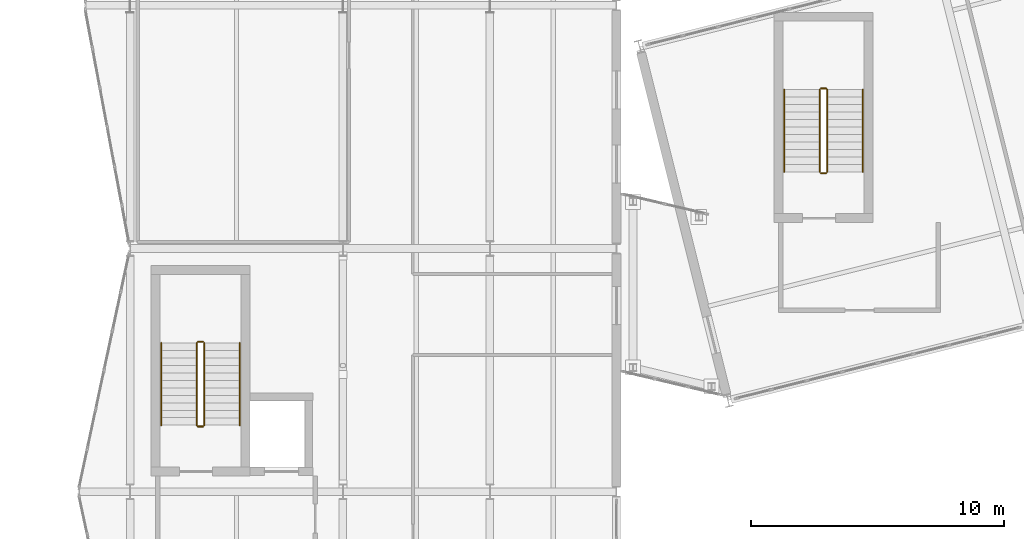
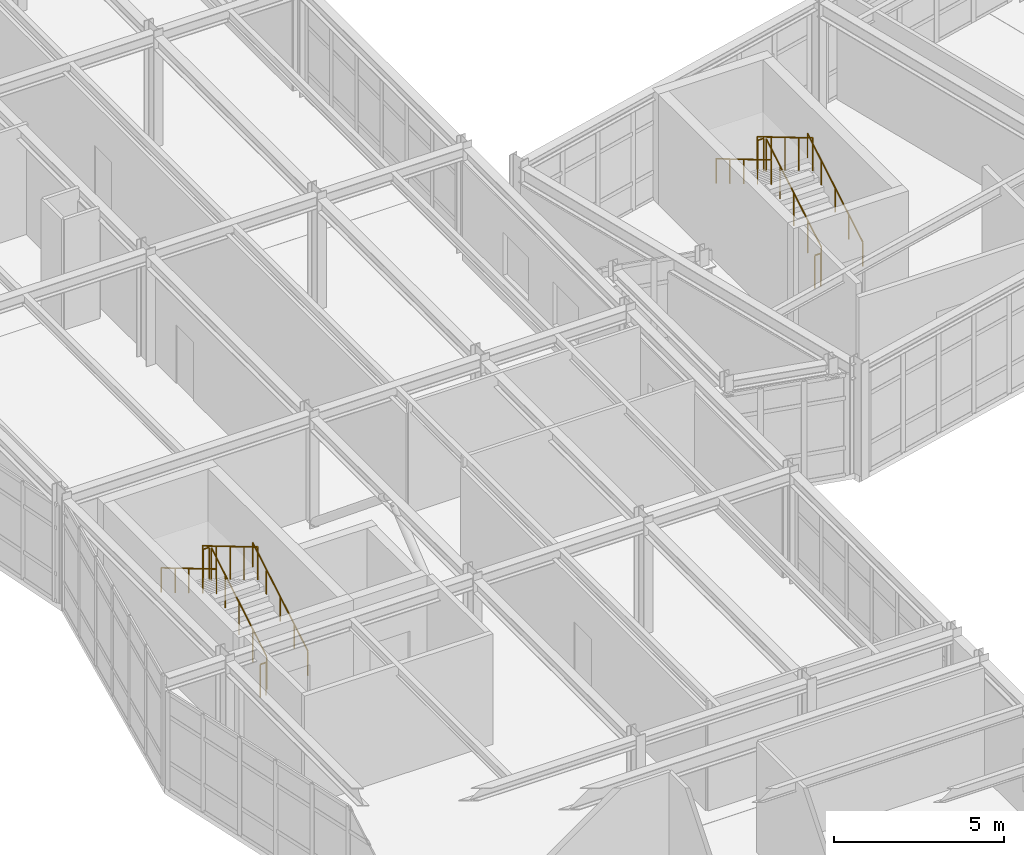
# One storey, part 92 of 99: 12 railings.
"""IFC4 building model written with IfcOpenShell, lengths in metres."""

import ifcopenshell
import ifcopenshell.guid

model = None  # the IFC model being written
_history = None  # IfcOwnerHistory: only IFC2X3 demands one
_inside = {}  # id of a spatial element -> (the spatial element, [elements in it])
_under = {}  # id of a project, library or spatial element -> (it, [spatial elements below it])
_declared = {}  # id of a project -> (the project, [libraries it declares])
_typed = {}  # id of a type object -> (the type object, [elements of that type])
_made_of = {}  # id of a material, layer set ... -> (it, [elements and type objects made of it])


def new_model(schema):
    """Start an empty IFC model of exactly this schema.

    Asked for "IFC4X3", IfcOpenShell would pick the latest addendum, in which some entities
    have other attributes; the version numbers below select the first issue.
    IFC2X3 requires an IfcOwnerHistory on every rooted entity: one is made here for all.
    """
    global model, _history
    if schema == "IFC4X3":
        model = ifcopenshell.file(schema_version=(4, 3, 0, 0))
    else:
        model = ifcopenshell.file(schema=schema)
    _inside.clear()
    _under.clear()
    _declared.clear()
    _typed.clear()
    _made_of.clear()
    _history = None
    if model.schema == "IFC2X3":
        org = make("IfcOrganization", Name="unknown")
        user = make(
            "IfcPersonAndOrganization",
            ThePerson=make("IfcPerson", FamilyName="unknown"),
            TheOrganization=org,
        )
        app = make(
            "IfcApplication",
            ApplicationDeveloper=org,
            Version="unknown",
            ApplicationFullName="unknown",
            ApplicationIdentifier="unknown",
        )
        _history = make(
            "IfcOwnerHistory",
            OwningUser=user,
            OwningApplication=app,
            ChangeAction="ADDED",
            CreationDate=0,
        )
    return model


def make(cls, **values):
    """One entity of the class cls with the attributes given. An attribute that is None is left unset."""
    return model.create_entity(
        cls, **{name: value for name, value in values.items() if value is not None}
    )


def rooted(cls, **values):
    """An entity with a GlobalId (a new one), such as an element, a storey or a relation."""
    return make(cls, GlobalId=ifcopenshell.guid.new(), OwnerHistory=_history, **values)


def si_unit(unit_type, name, prefix=None):
    """IfcSIUnit, for example si_unit("LENGTHUNIT", "METRE", prefix="MILLI")."""
    return make("IfcSIUnit", UnitType=unit_type, Prefix=prefix, Name=name)


def assignment(units):
    """IfcUnitAssignment: the units of a project."""
    return None if units is None else make("IfcUnitAssignment", Units=units)


def point(xyz):
    """IfcCartesianPoint."""
    return None if xyz is None else make("IfcCartesianPoint", Coordinates=xyz)


def direction(xyz):
    """IfcDirection."""
    return None if xyz is None else make("IfcDirection", DirectionRatios=xyz)


def frame(location, z_axis=None, x_axis=None):
    """IfcAxis2Placement3D, a coordinate frame: its origin and axes. An axis left out is left unset."""
    return make(
        "IfcAxis2Placement3D",
        Location=point(location),
        Axis=direction(z_axis),
        RefDirection=direction(x_axis),
    )


def frame_2d(location, x_axis=None):
    """IfcAxis2Placement2D, a coordinate frame in the plane: its origin and x axis."""
    return make(
        "IfcAxis2Placement2D", Location=point(location), RefDirection=direction(x_axis)
    )


def origin():
    """The frame at (0, 0, 0) with its axes left unset."""
    return frame((0.0, 0.0, 0.0))


def origin_2d():
    """The frame at (0, 0) in the plane with its x axis left unset."""
    return frame_2d((0.0, 0.0))


def place(relative_to, where):
    """IfcLocalPlacement: puts the frame where relative to a parent placement (None: the world)."""
    return make(
        "IfcLocalPlacement", PlacementRelTo=relative_to, RelativePlacement=where
    )


def context(
    kind, dimensions, precision=None, world=None, true_north=None, identifier=None
):
    """IfcGeometricRepresentationContext, for example the 3D "Model" context."""
    return make(
        "IfcGeometricRepresentationContext",
        ContextIdentifier=identifier,
        ContextType=kind,
        CoordinateSpaceDimension=dimensions,
        Precision=precision,
        WorldCoordinateSystem=world,
        TrueNorth=true_north,
    )


def subcontext(parent, identifier, kind, view, scale=None):
    """IfcGeometricRepresentationSubContext, for example "Body" below "Model"."""
    return make(
        "IfcGeometricRepresentationSubContext",
        ContextIdentifier=identifier,
        ContextType=kind,
        ParentContext=parent,
        TargetScale=scale,
        TargetView=view,
    )


def project(units=None, contexts=None):
    """IfcProject with its units and contexts."""
    return rooted(
        "IfcProject",
        Name="project",
        RepresentationContexts=contexts,
        UnitsInContext=assignment(units),
    )


def spatial(cls, under=None, at=None, **own):
    """A site, building, storey or space (cls), placed at a placement, below another one or the project."""
    s = rooted(cls, ObjectPlacement=at, **own)
    if under is not None:
        _under.setdefault(under.id(), (under, []))[1].append(s)
    return s


def profile(cls, at=None, kind="AREA", **sizes):
    """A parametric profile (cls). Its sizes go by their IFC names, for example OverallWidth=200.0."""
    return make(cls, ProfileType=kind, Position=at, **sizes)


def circle(**sizes):
    """IfcCircleProfileDef."""
    return profile("IfcCircleProfileDef", **sizes)


def extrude(swept, where, along, depth):
    """IfcExtrudedAreaSolid: the profile swept, set in the frame where, extruded along a direction by depth."""
    return make(
        "IfcExtrudedAreaSolid",
        SweptArea=swept,
        Position=where,
        ExtrudedDirection=direction(along),
        Depth=depth,
    )


def shape(context_of_items, identifier, shape_type, items):
    """IfcShapeRepresentation: the items that make up one representation, for example the "Body"."""
    return make(
        "IfcShapeRepresentation",
        ContextOfItems=context_of_items,
        RepresentationIdentifier=identifier,
        RepresentationType=shape_type,
        Items=items,
    )


def material(Name=None, Category=None):
    """IfcMaterial."""
    return make("IfcMaterial", Name=Name, Category=Category)


def layer(
    of_material, thickness, ventilated=None, Name=None, Category=None, Priority=None
):
    """IfcMaterialLayer: one layer of a wall or slab, of a material (None: an air gap)."""
    return make(
        "IfcMaterialLayer",
        Material=of_material,
        LayerThickness=thickness,
        IsVentilated=ventilated,
        Name=Name,
        Category=Category,
        Priority=Priority,
    )


def layer_set(layers, Name=None):
    """IfcMaterialLayerSet."""
    return make("IfcMaterialLayerSet", MaterialLayers=layers, LayerSetName=Name)


def made_of(thing, what):
    """Note that an element or type object is made of a material, layer set ...; save() writes the relation."""
    if what is not None:
        _made_of.setdefault(what.id(), (what, []))[1].append(thing)
    return thing


def type_object(cls, material=None, **own):
    """A type object (cls), such as IfcWallType, which elements share."""
    return made_of(rooted(cls, **own), material)


def element(
    cls,
    number,
    at=None,
    inside=None,
    cuts=None,
    type_object=None,
    material=None,
    context=None,
    identifier="Body",
    shape_type=None,
    held_by="IfcProductDefinitionShape",
    body=None,
    shapes=None,
    **own,
):
    """One element of the class cls, such as IfcWall. Its Tag is "e" and its number.

    at: its placement. inside: the storey or other place that contains it. cuts: it is an
    opening in that element (IfcRelVoidsElement). A single representation is given by context,
    identifier, shape_type and body (its items); several are given by shapes. held_by: the class
    of the entity that holds the representations. save() writes the other relations.
    """
    e = rooted(cls, Tag="e%d" % number, ObjectPlacement=at, **own)
    if body is not None:
        shapes = [shape(context, identifier, shape_type, body)]
    if shapes is not None:
        e.Representation = make(held_by, Representations=shapes)
    if inside is not None:
        _inside.setdefault(inside.id(), (inside, []))[1].append(e)
    if cuts is not None:
        rooted(
            "IfcRelVoidsElement", RelatingBuildingElement=cuts, RelatedOpeningElement=e
        )
    if type_object is not None:
        _typed.setdefault(type_object.id(), (type_object, []))[1].append(e)
    return made_of(e, material)


def aggregate(whole, parts):
    """IfcRelAggregates: a whole, such as a stair, and the parts it consists of."""
    return rooted("IfcRelAggregates", RelatingObject=whole, RelatedObjects=parts)


def save(model, path):
    """Write the relations noted so far, then the file.

    IfcRelAggregates (storeys below a building ...), IfcRelContainedInSpatialStructure (elements
    in a storey), IfcRelDefinesByType, IfcRelAssociatesMaterial and IfcRelDeclares: one each for
    every whole, place, type object, material and project.
    """
    for whole, parts in _under.values():
        aggregate(whole, parts)
    for where, things in _inside.values():
        rooted(
            "IfcRelContainedInSpatialStructure",
            RelatedElements=things,
            RelatingStructure=where,
        )
    for kind, things in _typed.values():
        rooted("IfcRelDefinesByType", RelatedObjects=things, RelatingType=kind)
    for what, things in _made_of.values():
        rooted("IfcRelAssociatesMaterial", RelatedObjects=things, RelatingMaterial=what)
    for by, libraries in _declared.values():
        rooted("IfcRelDeclares", RelatingContext=by, RelatedDefinitions=libraries)
    model.write(path)


model = new_model("IFC4")

# Units and contexts
model_context = context("Model", 3, precision=1e-05, world=origin(), true_north=direction((0.0, 1.0)))
body_context = subcontext(model_context, "Body", "Model", "MODEL_VIEW")
ifc_project = project(units=[si_unit("LENGTHUNIT", "METRE"), si_unit("AREAUNIT", "SQUARE_METRE"), si_unit("VOLUMEUNIT", "CUBIC_METRE"), si_unit("PLANEANGLEUNIT", "RADIAN"), si_unit("MASSUNIT", "GRAM", prefix="KILO")], contexts=[model_context])

# Site, building, storey
site_placement = place(None, origin())
site = spatial("IfcSite", under=ifc_project, at=site_placement, CompositionType="ELEMENT")
building_placement = place(site_placement, origin())
building = spatial("IfcBuilding", under=site, at=building_placement, Name="Nordkorset Police Headquarters", CompositionType="ELEMENT")
storey_placement = place(building_placement, frame((0.0, 0.0, 5.25)))
storey = spatial("IfcBuildingStorey", under=building, at=storey_placement, Name="L01", CompositionType="ELEMENT", Elevation=5.25)

# Railings
ifc_material_1 = material(Name="Steel S355J2", Category="steel")
ifc_layer_1 = layer(ifc_material_1, 0.048095703125, Name="Steel S355J2")
ifc_layer_set_1 = layer_set([ifc_layer_1], Name="Steel S355J2")
railing_type_1 = type_object("IfcRailingType", Name="Railing_Handrail_900", PredefinedType="HANDRAIL", material=ifc_layer_set_1)
railing_1_placement = place(storey_placement, frame((4.324951171875, 41.02490234375, 0.175048828125)))
element("IfcRailing", 1, at=railing_1_placement, inside=storey, type_object=railing_type_1, Name="L01 ST-04 stair handrail 1", PredefinedType="HANDRAIL", context=body_context, shape_type="SweptSolid", body=[
    extrude(circle(Radius=0.02392578125, at=origin_2d()), frame((0.0, 0.0, 0.8759765625), z_axis=(0.0, 0.860057060016, 0.510197857224), x_axis=(-1.0, 0.0, 0.0)), (0.0, 0.0, 1.0), 3.773193359375),
    extrude(circle(Radius=0.02099609375, at=origin_2d()), origin(), (0.0, 0.0, 1.0), 0.851806640625),
    extrude(circle(Radius=0.02099609375, at=origin_2d()), frame((0.0, 0.811279296875, 0.481201171875)), (0.0, 0.0, 1.0), 0.851806640625),
    extrude(circle(Radius=0.02099609375, at=origin_2d()), frame((0.0, 1.62255859375, 0.96240234375)), (0.0, 0.0, 1.0), 0.851806640625),
    extrude(circle(Radius=0.02099609375, at=origin_2d()), frame((0.0, 2.433837890625, 1.44384765625)), (0.0, 0.0, 1.0), 0.851806640625),
    extrude(circle(Radius=0.02099609375, at=origin_2d()), frame((0.0, 3.2451171875, 1.925048828125)), (0.0, 0.0, 1.0), 0.851806640625),
])
railing_2_placement = place(storey_placement, frame((1.22509765625, 44.27001953125, 2.27490234375)))
element("IfcRailing", 2, at=railing_2_placement, inside=storey, type_object=railing_type_1, Name="L01 ST-04 stair handrail 2", PredefinedType="HANDRAIL", context=body_context, shape_type="SweptSolid", body=[
    extrude(circle(Radius=0.02392578125, at=origin_2d()), frame((0.0, 0.0, 0.8759765625), z_axis=(0.0, -0.860057060016, 0.510197857224), x_axis=(1.0, 0.0, 0.0)), (0.0, 0.0, 1.0), 3.773193359375),
    extrude(circle(Radius=0.02099609375, at=origin_2d()), origin(), (0.0, 0.0, 1.0), 0.851806640625),
    extrude(circle(Radius=0.02099609375, at=origin_2d()), frame((0.0, -0.811279296875, 0.481201171875)), (0.0, 0.0, 1.0), 0.851806640625),
    extrude(circle(Radius=0.02099609375, at=origin_2d()), frame((0.0, -1.62255859375, 0.96240234375)), (0.0, 0.0, 1.0), 0.851806640625),
    extrude(circle(Radius=0.02099609375, at=origin_2d()), frame((0.0, -2.433837890625, 1.44384765625)), (0.0, 0.0, 1.0), 0.851806640625),
    extrude(circle(Radius=0.02099609375, at=origin_2d()), frame((0.0, -3.2451171875, 1.925048828125)), (0.0, 0.0, 1.0), 0.851806640625),
])
railing_3_placement = place(storey_placement, frame((28.925048828125, 51.02490234375, 0.175048828125)))
element("IfcRailing", 3, at=railing_3_placement, inside=storey, type_object=railing_type_1, Name="L01 ST-08 stair handrail 1", PredefinedType="HANDRAIL", context=body_context, shape_type="SweptSolid", body=[
    extrude(circle(Radius=0.02392578125, at=origin_2d()), frame((0.0, 0.0, 0.8759765625), z_axis=(0.0, 0.860057060016, 0.510197857224), x_axis=(-1.0, 0.0, 0.0)), (0.0, 0.0, 1.0), 3.773193359375),
    extrude(circle(Radius=0.02099609375, at=origin_2d()), origin(), (0.0, 0.0, 1.0), 0.851806640625),
    extrude(circle(Radius=0.02099609375, at=origin_2d()), frame((0.0, 0.811279296875, 0.481201171875)), (0.0, 0.0, 1.0), 0.851806640625),
    extrude(circle(Radius=0.02099609375, at=origin_2d()), frame((0.0, 1.62255859375, 0.96240234375)), (0.0, 0.0, 1.0), 0.851806640625),
    extrude(circle(Radius=0.02099609375, at=origin_2d()), frame((0.0, 2.433837890625, 1.44384765625)), (0.0, 0.0, 1.0), 0.851806640625),
    extrude(circle(Radius=0.02099609375, at=origin_2d()), frame((0.0, 3.2451171875, 1.925048828125)), (0.0, 0.0, 1.0), 0.851806640625),
])
railing_4_placement = place(storey_placement, frame((25.824951171875, 54.27001953125, 2.27490234375)))
element("IfcRailing", 4, at=railing_4_placement, inside=storey, type_object=railing_type_1, Name="L01 ST-08 stair handrail 2", PredefinedType="HANDRAIL", context=body_context, shape_type="SweptSolid", body=[
    extrude(circle(Radius=0.02392578125, at=origin_2d()), frame((0.0, 0.0, 0.8759765625), z_axis=(0.0, -0.860057060016, 0.510197857224), x_axis=(1.0, 0.0, 0.0)), (0.0, 0.0, 1.0), 3.773193359375),
    extrude(circle(Radius=0.02099609375, at=origin_2d()), origin(), (0.0, 0.0, 1.0), 0.851806640625),
    extrude(circle(Radius=0.02099609375, at=origin_2d()), frame((0.0, -0.811279296875, 0.481201171875)), (0.0, 0.0, 1.0), 0.851806640625),
    extrude(circle(Radius=0.02099609375, at=origin_2d()), frame((0.0, -1.62255859375, 0.96240234375)), (0.0, 0.0, 1.0), 0.851806640625),
    extrude(circle(Radius=0.02099609375, at=origin_2d()), frame((0.0, -2.433837890625, 1.44384765625)), (0.0, 0.0, 1.0), 0.851806640625),
    extrude(circle(Radius=0.02099609375, at=origin_2d()), frame((0.0, -3.2451171875, 1.925048828125)), (0.0, 0.0, 1.0), 0.851806640625),
])
ifc_material_2 = material(Name="Steel S355J2", Category="steel")
ifc_layer_2 = layer(ifc_material_2, 0.050048828125, Name="Steel S355J2")
ifc_layer_set_2 = layer_set([ifc_layer_2], Name="Steel S355J2")
railing_type_2 = type_object("IfcRailingType", Name="Railing_StairGuard_1200", PredefinedType="GUARDRAIL", material=ifc_layer_set_2)
railing_5_placement = place(storey_placement, frame((2.925048828125, 41.02490234375, 0.175048828125)))
element("IfcRailing", 5, at=railing_5_placement, inside=storey, type_object=railing_type_2, Name="L01 ST-04 stair guard 1", PredefinedType="GUARDRAIL", context=body_context, shape_type="SweptSolid", body=[
    extrude(circle(Radius=0.02392578125, at=origin_2d()), frame((0.0, 0.0, 1.17578125), z_axis=(0.0, 0.860057060016, 0.510197857224), x_axis=(-1.0, 0.0, 0.0)), (0.0, 0.0, 1.0), 3.773193359375),
    extrude(circle(Radius=0.02099609375, at=origin_2d()), origin(), (0.0, 0.0, 1.0), 1.15185546875),
    extrude(circle(Radius=0.02099609375, at=origin_2d()), frame((0.0, 0.811279296875, 0.481201171875)), (0.0, 0.0, 1.0), 1.15185546875),
    extrude(circle(Radius=0.02099609375, at=origin_2d()), frame((0.0, 1.62255859375, 0.96240234375)), (0.0, 0.0, 1.0), 1.15185546875),
    extrude(circle(Radius=0.02099609375, at=origin_2d()), frame((0.0, 2.433837890625, 1.44384765625)), (0.0, 0.0, 1.0), 1.15185546875),
    extrude(circle(Radius=0.02099609375, at=origin_2d()), frame((0.0, 3.2451171875, 1.925048828125)), (0.0, 0.0, 1.0), 1.15185546875),
])
railing_6_placement = place(storey_placement, frame((2.875, 44.320068359375, 2.10009765625)))
element("IfcRailing", 6, at=railing_6_placement, inside=storey, type_object=railing_type_2, Name="L01 ST-04 stair guard 2", PredefinedType="GUARDRAIL", context=body_context, shape_type="SweptSolid", body=[
    extrude(circle(Radius=0.02392578125, at=origin_2d()), frame((0.0, 0.0, 1.17578125), z_axis=(-1.0, 0.0, 0.0), x_axis=(0.0, -1.0, 0.0)), (0.0, 0.0, 1.0), 0.199951171875),
    extrude(circle(Radius=0.02099609375, at=origin_2d()), origin(), (0.0, 0.0, 1.0), 1.15185546875),
    extrude(circle(Radius=0.02099609375, at=origin_2d()), frame((-0.199951171875, 0.0, 0.0)), (0.0, 0.0, 1.0), 1.15185546875),
])
railing_7_placement = place(storey_placement, frame((2.625, 44.27001953125, 2.27490234375)))
element("IfcRailing", 7, at=railing_7_placement, inside=storey, type_object=railing_type_2, Name="L01 ST-04 stair guard 3", PredefinedType="GUARDRAIL", context=body_context, shape_type="SweptSolid", body=[
    extrude(circle(Radius=0.02392578125, at=origin_2d()), frame((0.0, 0.0, 1.17578125), z_axis=(0.0, -0.860057060016, 0.510197857224), x_axis=(1.0, 0.0, 0.0)), (0.0, 0.0, 1.0), 3.773193359375),
    extrude(circle(Radius=0.02099609375, at=origin_2d()), origin(), (0.0, 0.0, 1.0), 1.15185546875),
    extrude(circle(Radius=0.02099609375, at=origin_2d()), frame((0.0, -0.811279296875, 0.481201171875)), (0.0, 0.0, 1.0), 1.15185546875),
    extrude(circle(Radius=0.02099609375, at=origin_2d()), frame((0.0, -1.62255859375, 0.96240234375)), (0.0, 0.0, 1.0), 1.15185546875),
    extrude(circle(Radius=0.02099609375, at=origin_2d()), frame((0.0, -2.433837890625, 1.44384765625)), (0.0, 0.0, 1.0), 1.15185546875),
    extrude(circle(Radius=0.02099609375, at=origin_2d()), frame((0.0, -3.2451171875, 1.925048828125)), (0.0, 0.0, 1.0), 1.15185546875),
])
railing_8_placement = place(storey_placement, frame((2.875, 40.97509765625, 0.0)))
element("IfcRailing", 8, at=railing_8_placement, inside=storey, type_object=railing_type_2, Name="L01 ST-04 stair guard 4", PredefinedType="GUARDRAIL", context=body_context, shape_type="SweptSolid", body=[
    extrude(circle(Radius=0.02392578125, at=origin_2d()), frame((0.0, 0.0, 1.17578125), z_axis=(-1.0, 0.0, 0.0), x_axis=(0.0, -1.0, 0.0)), (0.0, 0.0, 1.0), 0.199951171875),
    extrude(circle(Radius=0.02099609375, at=origin_2d()), origin(), (0.0, 0.0, 1.0), 1.15185546875),
    extrude(circle(Radius=0.02099609375, at=origin_2d()), frame((-0.199951171875, 0.0, 0.0)), (0.0, 0.0, 1.0), 1.15185546875),
])
railing_9_placement = place(storey_placement, frame((27.52490234375, 51.02490234375, 0.175048828125)))
element("IfcRailing", 9, at=railing_9_placement, inside=storey, type_object=railing_type_2, Name="L01 ST-08 stair guard 1", PredefinedType="GUARDRAIL", context=body_context, shape_type="SweptSolid", body=[
    extrude(circle(Radius=0.02392578125, at=origin_2d()), frame((0.0, 0.0, 1.17578125), z_axis=(0.0, 0.860057060016, 0.510197857224), x_axis=(-1.0, 0.0, 0.0)), (0.0, 0.0, 1.0), 3.773193359375),
    extrude(circle(Radius=0.02099609375, at=origin_2d()), origin(), (0.0, 0.0, 1.0), 1.15185546875),
    extrude(circle(Radius=0.02099609375, at=origin_2d()), frame((0.0, 0.811279296875, 0.481201171875)), (0.0, 0.0, 1.0), 1.15185546875),
    extrude(circle(Radius=0.02099609375, at=origin_2d()), frame((0.0, 1.62255859375, 0.96240234375)), (0.0, 0.0, 1.0), 1.15185546875),
    extrude(circle(Radius=0.02099609375, at=origin_2d()), frame((0.0, 2.433837890625, 1.44384765625)), (0.0, 0.0, 1.0), 1.15185546875),
    extrude(circle(Radius=0.02099609375, at=origin_2d()), frame((0.0, 3.2451171875, 1.925048828125)), (0.0, 0.0, 1.0), 1.15185546875),
])
railing_10_placement = place(storey_placement, frame((27.47509765625, 54.320068359375, 2.10009765625)))
element("IfcRailing", 10, at=railing_10_placement, inside=storey, type_object=railing_type_2, Name="L01 ST-08 stair guard 2", PredefinedType="GUARDRAIL", context=body_context, shape_type="SweptSolid", body=[
    extrude(circle(Radius=0.02392578125, at=origin_2d()), frame((0.0, 0.0, 1.17578125), z_axis=(-1.0, 0.0, 0.0), x_axis=(0.0, -1.0, 0.0)), (0.0, 0.0, 1.0), 0.2001953125),
    extrude(circle(Radius=0.02099609375, at=origin_2d()), origin(), (0.0, 0.0, 1.0), 1.15185546875),
    extrude(circle(Radius=0.02099609375, at=origin_2d()), frame((-0.2001953125, 0.0, 0.0)), (0.0, 0.0, 1.0), 1.15185546875),
])
railing_11_placement = place(storey_placement, frame((27.22509765625, 54.27001953125, 2.27490234375)))
element("IfcRailing", 11, at=railing_11_placement, inside=storey, type_object=railing_type_2, Name="L01 ST-08 stair guard 3", PredefinedType="GUARDRAIL", context=body_context, shape_type="SweptSolid", body=[
    extrude(circle(Radius=0.02392578125, at=origin_2d()), frame((0.0, 0.0, 1.17578125), z_axis=(0.0, -0.860057060016, 0.510197857224), x_axis=(1.0, 0.0, 0.0)), (0.0, 0.0, 1.0), 3.773193359375),
    extrude(circle(Radius=0.02099609375, at=origin_2d()), origin(), (0.0, 0.0, 1.0), 1.15185546875),
    extrude(circle(Radius=0.02099609375, at=origin_2d()), frame((0.0, -0.811279296875, 0.481201171875)), (0.0, 0.0, 1.0), 1.15185546875),
    extrude(circle(Radius=0.02099609375, at=origin_2d()), frame((0.0, -1.62255859375, 0.96240234375)), (0.0, 0.0, 1.0), 1.15185546875),
    extrude(circle(Radius=0.02099609375, at=origin_2d()), frame((0.0, -2.433837890625, 1.44384765625)), (0.0, 0.0, 1.0), 1.15185546875),
    extrude(circle(Radius=0.02099609375, at=origin_2d()), frame((0.0, -3.2451171875, 1.925048828125)), (0.0, 0.0, 1.0), 1.15185546875),
])
railing_12_placement = place(storey_placement, frame((27.47509765625, 50.97509765625, 0.0)))
element("IfcRailing", 12, at=railing_12_placement, inside=storey, type_object=railing_type_2, Name="L01 ST-08 stair guard 4", PredefinedType="GUARDRAIL", context=body_context, shape_type="SweptSolid", body=[
    extrude(circle(Radius=0.02392578125, at=origin_2d()), frame((0.0, 0.0, 1.17578125), z_axis=(-1.0, 0.0, 0.0), x_axis=(0.0, -1.0, 0.0)), (0.0, 0.0, 1.0), 0.2001953125),
    extrude(circle(Radius=0.02099609375, at=origin_2d()), origin(), (0.0, 0.0, 1.0), 1.15185546875),
    extrude(circle(Radius=0.02099609375, at=origin_2d()), frame((-0.2001953125, 0.0, 0.0)), (0.0, 0.0, 1.0), 1.15185546875),
])

save(model, "model.ifc")
